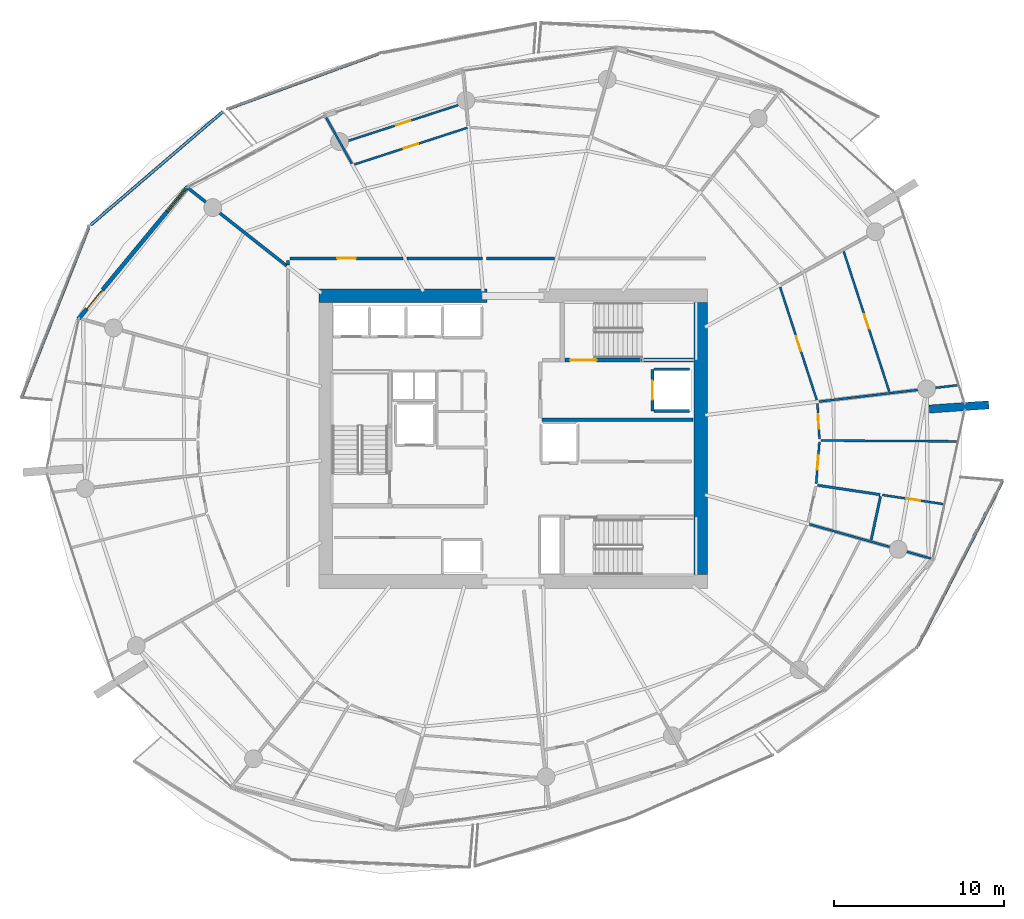
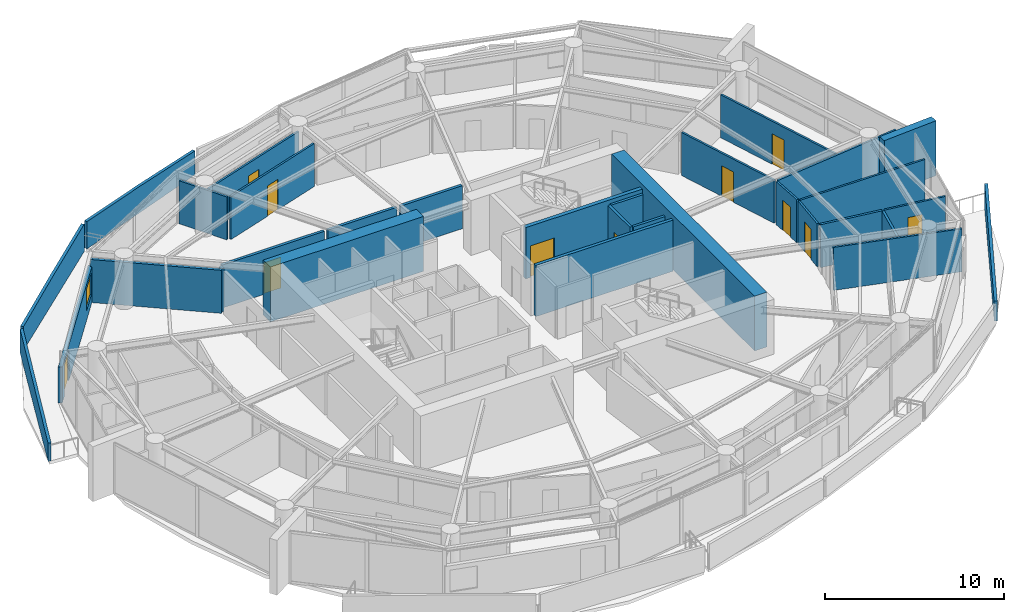
# One storey, part 14 of 20: 31 walls, 11 doors, 1 window, 12 openings.
"""IFC4 building model written with IfcOpenShell, lengths in metres."""

import ifcopenshell
import ifcopenshell.guid

model = None  # the IFC model being written
_history = None  # IfcOwnerHistory: only IFC2X3 demands one
_inside = {}  # id of a spatial element -> (the spatial element, [elements in it])
_under = {}  # id of a project, library or spatial element -> (it, [spatial elements below it])
_declared = {}  # id of a project -> (the project, [libraries it declares])
_typed = {}  # id of a type object -> (the type object, [elements of that type])
_made_of = {}  # id of a material, layer set ... -> (it, [elements and type objects made of it])


def new_model(schema):
    """Start an empty IFC model of exactly this schema.

    Asked for "IFC4X3", IfcOpenShell would pick the latest addendum, in which some entities
    have other attributes; the version numbers below select the first issue.
    IFC2X3 requires an IfcOwnerHistory on every rooted entity: one is made here for all.
    """
    global model, _history
    if schema == "IFC4X3":
        model = ifcopenshell.file(schema_version=(4, 3, 0, 0))
    else:
        model = ifcopenshell.file(schema=schema)
    _inside.clear()
    _under.clear()
    _declared.clear()
    _typed.clear()
    _made_of.clear()
    _history = None
    if model.schema == "IFC2X3":
        org = make("IfcOrganization", Name="unknown")
        user = make(
            "IfcPersonAndOrganization",
            ThePerson=make("IfcPerson", FamilyName="unknown"),
            TheOrganization=org,
        )
        app = make(
            "IfcApplication",
            ApplicationDeveloper=org,
            Version="unknown",
            ApplicationFullName="unknown",
            ApplicationIdentifier="unknown",
        )
        _history = make(
            "IfcOwnerHistory",
            OwningUser=user,
            OwningApplication=app,
            ChangeAction="ADDED",
            CreationDate=0,
        )
    return model


def make(cls, **values):
    """One entity of the class cls with the attributes given. An attribute that is None is left unset."""
    return model.create_entity(
        cls, **{name: value for name, value in values.items() if value is not None}
    )


def rooted(cls, **values):
    """An entity with a GlobalId (a new one), such as an element, a storey or a relation."""
    return make(cls, GlobalId=ifcopenshell.guid.new(), OwnerHistory=_history, **values)


def si_unit(unit_type, name, prefix=None):
    """IfcSIUnit, for example si_unit("LENGTHUNIT", "METRE", prefix="MILLI")."""
    return make("IfcSIUnit", UnitType=unit_type, Prefix=prefix, Name=name)


def assignment(units):
    """IfcUnitAssignment: the units of a project."""
    return None if units is None else make("IfcUnitAssignment", Units=units)


def point(xyz):
    """IfcCartesianPoint."""
    return None if xyz is None else make("IfcCartesianPoint", Coordinates=xyz)


def direction(xyz):
    """IfcDirection."""
    return None if xyz is None else make("IfcDirection", DirectionRatios=xyz)


def frame(location, z_axis=None, x_axis=None):
    """IfcAxis2Placement3D, a coordinate frame: its origin and axes. An axis left out is left unset."""
    return make(
        "IfcAxis2Placement3D",
        Location=point(location),
        Axis=direction(z_axis),
        RefDirection=direction(x_axis),
    )


def frame_2d(location, x_axis=None):
    """IfcAxis2Placement2D, a coordinate frame in the plane: its origin and x axis."""
    return make(
        "IfcAxis2Placement2D", Location=point(location), RefDirection=direction(x_axis)
    )


def origin():
    """The frame at (0, 0, 0) with its axes left unset."""
    return frame((0.0, 0.0, 0.0))


def place(relative_to, where):
    """IfcLocalPlacement: puts the frame where relative to a parent placement (None: the world)."""
    return make(
        "IfcLocalPlacement", PlacementRelTo=relative_to, RelativePlacement=where
    )


def context(
    kind, dimensions, precision=None, world=None, true_north=None, identifier=None
):
    """IfcGeometricRepresentationContext, for example the 3D "Model" context."""
    return make(
        "IfcGeometricRepresentationContext",
        ContextIdentifier=identifier,
        ContextType=kind,
        CoordinateSpaceDimension=dimensions,
        Precision=precision,
        WorldCoordinateSystem=world,
        TrueNorth=true_north,
    )


def subcontext(parent, identifier, kind, view, scale=None):
    """IfcGeometricRepresentationSubContext, for example "Body" below "Model"."""
    return make(
        "IfcGeometricRepresentationSubContext",
        ContextIdentifier=identifier,
        ContextType=kind,
        ParentContext=parent,
        TargetScale=scale,
        TargetView=view,
    )


def project(units=None, contexts=None):
    """IfcProject with its units and contexts."""
    return rooted(
        "IfcProject",
        Name="project",
        RepresentationContexts=contexts,
        UnitsInContext=assignment(units),
    )


def spatial(cls, under=None, at=None, **own):
    """A site, building, storey or space (cls), placed at a placement, below another one or the project."""
    s = rooted(cls, ObjectPlacement=at, **own)
    if under is not None:
        _under.setdefault(under.id(), (under, []))[1].append(s)
    return s


def polyline(points):
    """IfcPolyline through the points."""
    return make("IfcPolyline", Points=[point(p) for p in points])


def profile(cls, at=None, kind="AREA", **sizes):
    """A parametric profile (cls). Its sizes go by their IFC names, for example OverallWidth=200.0."""
    return make(cls, ProfileType=kind, Position=at, **sizes)


def rectangle(**sizes):
    """IfcRectangleProfileDef."""
    return profile("IfcRectangleProfileDef", **sizes)


def outline(outer, holes=None, kind="AREA"):
    """IfcArbitraryClosedProfileDef: a profile drawn as a closed curve; with holes, ...WithVoids."""
    if holes is None:
        return make("IfcArbitraryClosedProfileDef", ProfileType=kind, OuterCurve=outer)
    return make(
        "IfcArbitraryProfileDefWithVoids",
        ProfileType=kind,
        OuterCurve=outer,
        InnerCurves=holes,
    )


def extrude(swept, where, along, depth):
    """IfcExtrudedAreaSolid: the profile swept, set in the frame where, extruded along a direction by depth."""
    return make(
        "IfcExtrudedAreaSolid",
        SweptArea=swept,
        Position=where,
        ExtrudedDirection=direction(along),
        Depth=depth,
    )


def shape(context_of_items, identifier, shape_type, items):
    """IfcShapeRepresentation: the items that make up one representation, for example the "Body"."""
    return make(
        "IfcShapeRepresentation",
        ContextOfItems=context_of_items,
        RepresentationIdentifier=identifier,
        RepresentationType=shape_type,
        Items=items,
    )


def material(Name=None, Category=None):
    """IfcMaterial."""
    return make("IfcMaterial", Name=Name, Category=Category)


def layer(
    of_material, thickness, ventilated=None, Name=None, Category=None, Priority=None
):
    """IfcMaterialLayer: one layer of a wall or slab, of a material (None: an air gap)."""
    return make(
        "IfcMaterialLayer",
        Material=of_material,
        LayerThickness=thickness,
        IsVentilated=ventilated,
        Name=Name,
        Category=Category,
        Priority=Priority,
    )


def layer_set(layers, Name=None):
    """IfcMaterialLayerSet."""
    return make("IfcMaterialLayerSet", MaterialLayers=layers, LayerSetName=Name)


def made_of(thing, what):
    """Note that an element or type object is made of a material, layer set ...; save() writes the relation."""
    if what is not None:
        _made_of.setdefault(what.id(), (what, []))[1].append(thing)
    return thing


def type_object(cls, material=None, **own):
    """A type object (cls), such as IfcWallType, which elements share."""
    return made_of(rooted(cls, **own), material)


def element(
    cls,
    number,
    at=None,
    inside=None,
    cuts=None,
    type_object=None,
    material=None,
    context=None,
    identifier="Body",
    shape_type=None,
    held_by="IfcProductDefinitionShape",
    body=None,
    shapes=None,
    **own,
):
    """One element of the class cls, such as IfcWall. Its Tag is "e" and its number.

    at: its placement. inside: the storey or other place that contains it. cuts: it is an
    opening in that element (IfcRelVoidsElement). A single representation is given by context,
    identifier, shape_type and body (its items); several are given by shapes. held_by: the class
    of the entity that holds the representations. save() writes the other relations.
    """
    e = rooted(cls, Tag="e%d" % number, ObjectPlacement=at, **own)
    if body is not None:
        shapes = [shape(context, identifier, shape_type, body)]
    if shapes is not None:
        e.Representation = make(held_by, Representations=shapes)
    if inside is not None:
        _inside.setdefault(inside.id(), (inside, []))[1].append(e)
    if cuts is not None:
        rooted(
            "IfcRelVoidsElement", RelatingBuildingElement=cuts, RelatedOpeningElement=e
        )
    if type_object is not None:
        _typed.setdefault(type_object.id(), (type_object, []))[1].append(e)
    return made_of(e, material)


def fill(opening, filler):
    """IfcRelFillsElement: the door or window that sits in an opening."""
    return rooted(
        "IfcRelFillsElement",
        RelatingOpeningElement=opening,
        RelatedBuildingElement=filler,
    )


def aggregate(whole, parts):
    """IfcRelAggregates: a whole, such as a stair, and the parts it consists of."""
    return rooted("IfcRelAggregates", RelatingObject=whole, RelatedObjects=parts)


def save(model, path):
    """Write the relations noted so far, then the file.

    IfcRelAggregates (storeys below a building ...), IfcRelContainedInSpatialStructure (elements
    in a storey), IfcRelDefinesByType, IfcRelAssociatesMaterial and IfcRelDeclares: one each for
    every whole, place, type object, material and project.
    """
    for whole, parts in _under.values():
        aggregate(whole, parts)
    for where, things in _inside.values():
        rooted(
            "IfcRelContainedInSpatialStructure",
            RelatedElements=things,
            RelatingStructure=where,
        )
    for kind, things in _typed.values():
        rooted("IfcRelDefinesByType", RelatedObjects=things, RelatingType=kind)
    for what, things in _made_of.values():
        rooted("IfcRelAssociatesMaterial", RelatedObjects=things, RelatingMaterial=what)
    for by, libraries in _declared.values():
        rooted("IfcRelDeclares", RelatingContext=by, RelatedDefinitions=libraries)
    model.write(path)


model = new_model("IFC4")

# Units and contexts
model_context = context("Model", 3, precision=1e-05, world=origin(), true_north=direction((0.0, 1.0)))
body_context = subcontext(model_context, "Body", "Model", "MODEL_VIEW")
ifc_project = project(units=[si_unit("LENGTHUNIT", "METRE"), si_unit("AREAUNIT", "SQUARE_METRE"), si_unit("VOLUMEUNIT", "CUBIC_METRE"), si_unit("PLANEANGLEUNIT", "RADIAN"), si_unit("MASSUNIT", "GRAM", prefix="KILO")], contexts=[model_context])

# Site, building, storey
site_placement = place(None, origin())
site = spatial("IfcSite", under=ifc_project, at=site_placement, CompositionType="ELEMENT")
building_placement = place(site_placement, origin())
building = spatial("IfcBuilding", under=site, at=building_placement, Name="Kazma Halo Residences", CompositionType="ELEMENT")
storey_placement = place(building_placement, frame((0.0, 0.0, 146.550048828125)))
storey = spatial("IfcBuildingStorey", under=building, at=storey_placement, Name="L36", CompositionType="ELEMENT", Elevation=146.550048828125)

# Walls
ifc_material_1 = material(Name="White Concrete C50/60 Balustrade", Category="concrete")
ifc_layer_1 = layer(ifc_material_1, 0.179931640625)
ifc_layer_set_1 = layer_set([ifc_layer_1], Name="White Concrete C50/60 Balustrade")
wall_type_1 = type_object("IfcWallType", Name="WL-BAL-WAVE-180", PredefinedType="PARAPET", material=ifc_layer_set_1)
wall_1_placement = place(storey_placement, frame((40.518310546875, 64.63818359375, 0.0), z_axis=(0.0, 0.0, 1.0), x_axis=(-0.93889246029, -0.344210615774, 0.0)))
element("IfcWall", 1, at=wall_1_placement, inside=storey, type_object=wall_type_1, Name="L36 white wave balustrade wall NNW.2", PredefinedType="PARAPET", context=body_context, shape_type="SweptSolid", body=[
    extrude(outline(polyline([(0.0, 0.0), (9.448974609375, 0.0), (9.448974609375, 1.85986328125), (4.724609375, 1.7978515625), (0.0, 1.6318359375), (0.0, 0.0)])), frame((0.0, 0.08984375, 0.0), z_axis=(0.0, -1.0, 0.0), x_axis=(1.0, 0.0, 0.0)), (0.0, 0.0, 1.0), 0.179931640625),
])
wall_2_placement = place(storey_placement, frame((31.3662109375, 61.236572265625, 0.0), z_axis=(0.0, 0.0, 1.0), x_axis=(-0.758999279374, -0.651091463551, 0.0)))
element("IfcWall", 2, at=wall_2_placement, inside=storey, type_object=wall_type_1, Name="L36 white wave balustrade wall NW.1", PredefinedType="PARAPET", context=body_context, shape_type="SweptSolid", body=[
    extrude(outline(polyline([(0.0, 0.0), (10.2490234375, 0.0), (10.2490234375, 1.6318359375), (5.12451171875, 1.7978515625), (0.0, 1.85986328125), (0.0, 0.0)])), frame((0.0, 0.08984375, 0.0), z_axis=(0.0, -1.0, 0.0), x_axis=(1.0, 0.0, 0.0)), (0.0, 0.0, 1.0), 0.179931640625),
])
wall_3_placement = place(storey_placement, frame((23.451904296875, 54.373779296875, 0.0), z_axis=(0.0, 0.0, 1.0), x_axis=(-0.367668520181, -0.929956912587, 0.0)))
element("IfcWall", 3, at=wall_3_placement, inside=storey, type_object=wall_type_1, Name="L36 white wave balustrade wall NW.2", PredefinedType="PARAPET", context=body_context, shape_type="SweptSolid", body=[
    extrude(outline(polyline([(0.0, 0.0), (10.706787109375, 0.0), (10.706787109375, 1.23291015625), (5.353515625, 1.41796875), (0.0, 1.6318359375), (0.0, 0.0)])), frame((0.0, 0.08984375, 0.0), z_axis=(0.0, -1.0, 0.0), x_axis=(1.0, 0.0, 0.0)), (0.0, 0.0, 1.0), 0.179931640625),
])
wall_4_placement = place(storey_placement, frame((72.204345703125, 29.802001953125, 0.0), z_axis=(0.0, 0.0, 1.0), x_axis=(0.457378798552, 0.88927196888, 0.0)))
element("IfcWall", 4, at=wall_4_placement, inside=storey, type_object=wall_type_1, Name="L36 white wave balustrade wall SE.2", PredefinedType="PARAPET", context=body_context, shape_type="SweptSolid", body=[
    extrude(outline(polyline([(0.0, 0.0), (10.93017578125, 0.0), (10.930419921875, 1.7470703125), (5.465087890625, 1.56201171875), (0.0, 1.347900390625), (0.0, 0.0)])), frame((0.0, 0.08984375, 0.0), z_axis=(0.0, -1.0, 0.0), x_axis=(1.0, 0.0, 0.0)), (0.0, 0.0, 1.0), 0.179931640625),
])
ifc_material_2 = material(Name="Pale Concrete C60/75", Category="concrete")
ifc_layer_2 = layer(ifc_material_2, 0.47998046875)
ifc_layer_set_2 = layer_set([ifc_layer_2], Name="Pale Concrete C60/75")
wall_type_2 = type_object("IfcWallType", Name="WL-BLADE-480", PredefinedType="SOLIDWALL", material=ifc_layer_set_2)
wall_5_placement = place(storey_placement, frame((72.89697265625, 43.740966796875, 0.0), z_axis=(0.0, 0.0, 1.0), x_axis=(0.997564163539, 0.069754853754, 0.0)))
element("IfcWall", 5, at=wall_5_placement, inside=storey, type_object=wall_type_2, Name="L36 pale concrete structural blade fin wall BW-04", PredefinedType="SOLIDWALL", context=body_context, shape_type="SweptSolid", body=[
    extrude(rectangle(XDim=3.5, YDim=0.47998046875, at=frame_2d((1.75, 0.0))), origin(), (0.0, 0.0, 1.0), 3.75),
])
ifc_material_3 = material(Name="Concrete C80/95", Category="concrete")
ifc_layer_3 = layer(ifc_material_3, 0.800048828125)
ifc_layer_set_3 = layer_set([ifc_layer_3], Name="Concrete C80/95")
wall_type_3 = type_object("IfcWallType", Name="WL-CORE-800", PredefinedType="SHEAR", material=ifc_layer_set_3)
wall_6_placement = place(storey_placement, frame((37.0, 50.39990234375, 0.0), z_axis=(0.0, 0.0, 1.0), x_axis=(1.0, 0.0, 0.0)))
element("IfcWall", 6, at=wall_6_placement, inside=storey, type_object=wall_type_3, Name="L36 central core shear wall NW", PredefinedType="SHEAR", context=body_context, shape_type="SweptSolid", body=[
    extrude(rectangle(XDim=9.89990234375, YDim=0.800048828125, at=frame_2d((4.949951171875, 0.0))), origin(), (0.0, 0.0, 1.0), 3.75),
])
wall_7_placement = place(storey_placement, frame((59.449951171875, 34.0, 0.0), z_axis=(0.0, 0.0, 1.0), x_axis=(0.0, 1.0, 0.0)))
element("IfcWall", 7, at=wall_7_placement, inside=storey, type_object=wall_type_3, Name="L36 central core shear wall E", PredefinedType="SHEAR", context=body_context, shape_type="SweptSolid", body=[
    extrude(rectangle(XDim=16.0, YDim=0.800048828125, at=frame_2d((8.0, 0.0))), origin(), (0.0, 0.0, 1.0), 3.75),
])
ifc_material_4 = material(Name="Acoustic Twin-Stud Gypsum")
ifc_layer_4 = layer(ifc_material_4, 0.179931640625)
ifc_layer_set_4 = layer_set([ifc_layer_4], Name="Acoustic Twin-Stud Gypsum")
wall_type_4 = type_object("IfcWallType", Name="WL-DEM-180", PredefinedType="PARTITIONING", material=ifc_layer_set_4)
wall_8_placement = place(storey_placement, frame((35.113525390625, 52.15869140625, 0.0), z_axis=(0.0, 0.0, 1.0), x_axis=(-0.78531739611, 0.619093359169, 0.0)))
element("IfcWall", 8, at=wall_8_placement, inside=storey, type_object=wall_type_4, Name="L36 apartment demising radial wall 05", PredefinedType="PARTITIONING", context=body_context, shape_type="SweptSolid", body=[
    extrude(rectangle(XDim=7.430419921875, YDim=0.179931640625, at=frame_2d((3.71533203125, 0.0))), origin(), (0.0, 0.0, 1.0), 2.93994140625),
])

# Wall, opening, door
wall_9_placement = place(storey_placement, frame((41.943603515625, 52.60009765625, 0.0), z_axis=(0.0, 0.0, 1.0), x_axis=(-1.0, 0.0, 0.0)))
wall_9 = element("IfcWall", 9, at=wall_9_placement, inside=storey, type_object=wall_type_4, Name="L36 Apartment 2 entrance corridor wall", PredefinedType="PARTITIONING", context=body_context, shape_type="SweptSolid", body=[
    extrude(rectangle(XDim=6.62353515625, YDim=0.179931640625, at=frame_2d((3.311767578125, 0.0))), origin(), (0.0, 0.0, 1.0), 2.93994140625),
])
opening_1_placement = place(wall_9_placement, frame((2.76171875, 0.0, 0.0)))
opening_1 = element("IfcOpeningElement", 10, at=opening_1_placement, cuts=wall_9, Name="Opening DA-1100", PredefinedType="OPENING", context=body_context, shape_type="SweptSolid", body=[
    extrude(rectangle(XDim=1.10009765625, YDim=2.10009765625, at=frame_2d((0.550048828125, 1.050048828125))), frame((0.0, 0.099853515625, 0.0), z_axis=(0.0, -1.0, 0.0), x_axis=(1.0, 0.0, 0.0)), (0.0, 0.0, 1.0), 0.199951171875),
])
ifc_material_5 = material(Name="Acoustic Walnut Fire Leaf")
door_type_1 = type_object("IfcDoorType", Name="DR-FD60-1100", OperationType="NOTDEFINED", PredefinedType="DOOR", material=ifc_material_5)
door_1_placement = place(opening_1_placement, origin())
door_1 = element("IfcDoor", 11, at=door_1_placement, inside=storey, type_object=door_type_1, Name="L36 Apartment 2 entrance fire door", OperationType="SINGLE_SWING_LEFT", OverallHeight=2.10009765625, OverallWidth=1.10009765625, PredefinedType="DOOR", context=body_context, shape_type="SweptSolid", body=[
    extrude(rectangle(XDim=1.10009765625, YDim=2.10009765625, at=frame_2d((0.550048828125, 1.050048828125))), frame((0.0, 0.02490234375, 0.0), z_axis=(0.0, -1.0, 0.0), x_axis=(1.0, 0.0, 0.0)), (0.0, 0.0, 1.0), 0.050048828125),
])
fill(opening_1, door_1)

# Walls
wall_10_placement = place(storey_placement, frame((35.199951171875, 52.47998046875, 0.0), z_axis=(0.0, 0.0, 1.0), x_axis=(0.0, -1.0, 0.0)))
element("IfcWall", 12, at=wall_10_placement, inside=storey, type_object=wall_type_4, Name="L36 Apartment 2 entrance corridor wall", PredefinedType="PARTITIONING", context=body_context, shape_type="SweptSolid", body=[
    extrude(rectangle(XDim=0.269287109375, YDim=0.179931640625, at=frame_2d((0.134765625, 0.0))), origin(), (0.0, 0.0, 1.0), 2.93994140625),
])
wall_11_placement = place(storey_placement, frame((50.869384765625, 52.60009765625, 0.0), z_axis=(0.0, 0.0, 1.0), x_axis=(-1.0, 0.0, 0.0)))
element("IfcWall", 13, at=wall_11_placement, inside=storey, type_object=wall_type_4, Name="L36 Apartment 2 inner wall 2", PredefinedType="PARTITIONING", context=body_context, shape_type="SweptSolid", body=[
    extrude(rectangle(XDim=4.00390625, YDim=0.179931640625, at=frame_2d((2.001953125, 0.0))), origin(), (0.0, 0.0, 1.0), 2.93994140625),
])
wall_12_placement = place(storey_placement, frame((46.62548828125, 52.60009765625, 0.0), z_axis=(0.0, 0.0, 1.0), x_axis=(-1.0, 0.0, 0.0)))
element("IfcWall", 14, at=wall_12_placement, inside=storey, type_object=wall_type_4, Name="L36 Apartment 2 inner wall 3", PredefinedType="PARTITIONING", context=body_context, shape_type="SweptSolid", body=[
    extrude(rectangle(XDim=4.44189453125, YDim=0.179931640625, at=frame_2d((2.220947265625, 0.0))), origin(), (0.0, 0.0, 1.0), 2.93994140625),
])

# Wall, openings, door, window
ifc_material_6 = material(Name="Insulated Pale-Metal Composite Wall")
ifc_layer_5 = layer(ifc_material_6, 0.239990234375)
ifc_layer_set_5 = layer_set([ifc_layer_5], Name="Insulated Pale-Metal Composite Wall")
wall_type_5 = type_object("IfcWallType", Name="WL-EXT-HOST-240", PredefinedType="SOLIDWALL", material=ifc_layer_set_5)
wall_13_placement = place(storey_placement, frame((29.29052734375, 56.81298828125, 0.0), z_axis=(0.0, 0.0, 1.0), x_axis=(-0.636771922292, -0.77105221547, 0.0)))
wall_13 = element("IfcWall", 15, at=wall_13_placement, inside=storey, type_object=wall_type_5, Name="L36 exterior terrace-access wall B06", PredefinedType="SOLIDWALL", context=body_context, shape_type="SweptSolid", body=[
    extrude(rectangle(XDim=10.08154296875, YDim=0.239990234375, at=frame_2d((5.040771484375, 0.0))), origin(), (0.0, 0.0, 1.0), 2.449951171875),
])
opening_2_placement = place(wall_13_placement, frame((7.861572265625, 0.0, 0.0)))
opening_2 = element("IfcOpeningElement", 16, at=opening_2_placement, cuts=wall_13, Name="Opening DTR-1600", PredefinedType="OPENING", context=body_context, shape_type="SweptSolid", body=[
    extrude(rectangle(XDim=1.449951171875, YDim=2.14990234375, at=frame_2d((0.72509765625, 1.074951171875))), frame((0.0, 0.1298828125, 0.0), z_axis=(0.0, -1.0, 0.0), x_axis=(1.0, 0.0, 0.0)), (0.0, 0.0, 1.0), 0.260009765625),
])
opening_3_placement = place(wall_13_placement, frame((0.280029296875, 0.0, 0.64990234375)))
opening_3 = element("IfcOpeningElement", 17, at=opening_3_placement, cuts=wall_13, Name="Opening W-1800", PredefinedType="OPENING", context=body_context, shape_type="SweptSolid", body=[
    extrude(rectangle(XDim=1.60009765625, YDim=1.5, at=frame_2d((0.800048828125, 0.75))), frame((0.0, 0.1298828125, 0.0), z_axis=(0.0, -1.0, 0.0), x_axis=(1.0, 0.0, 0.0)), (0.0, 0.0, 1.0), 0.260009765625),
])
ifc_material_7 = material(Name="Aluminium AW-6063 T6 Double-Glazed Terrace Door", Category="aluminium")
door_type_2 = type_object("IfcDoorType", Name="DR-EXT-TERR-1600", OperationType="NOTDEFINED", PredefinedType="DOOR", material=ifc_material_7)
door_2_placement = place(opening_2_placement, origin())
door_2 = element("IfcDoor", 18, at=door_2_placement, inside=storey, type_object=door_type_2, Name="L36 B06 balcony terrace door", OperationType="DOUBLE_DOOR_SLIDING", OverallHeight=2.14990234375, OverallWidth=1.449951171875, PredefinedType="DOOR", context=body_context, shape_type="SweptSolid", body=[
    extrude(rectangle(XDim=1.449951171875, YDim=2.14990234375, at=frame_2d((0.72509765625, 1.074951171875))), frame((0.0, 0.02490234375, 0.0), z_axis=(0.0, -1.0, 0.0), x_axis=(1.0, 0.0, 0.0)), (0.0, 0.0, 1.0), 0.050048828125),
])
fill(opening_2, door_2)
ifc_material_8 = material(Name="Clear Triple-Silver Low-E Glass in Aluminium AW-6063 T6 Frame", Category="aluminium")
window_type = type_object("IfcWindowType", Name="WIN-RES-1800", PartitioningType="DOUBLE_PANEL_VERTICAL", PredefinedType="WINDOW", material=ifc_material_8)
window_placement = place(opening_3_placement, origin())
window = element("IfcWindow", 19, at=window_placement, inside=storey, type_object=window_type, Name="L36 B06 apartment window", OverallHeight=1.5, OverallWidth=1.60009765625, PartitioningType="SINGLE_PANEL", PredefinedType="WINDOW", context=body_context, shape_type="SweptSolid", body=[
    extrude(rectangle(XDim=1.60009765625, YDim=1.5, at=frame_2d((0.800048828125, 0.75))), frame((0.0, 0.030029296875, 0.0), z_axis=(0.0, -1.0, 0.0), x_axis=(1.0, 0.0, 0.0)), (0.0, 0.0, 1.0), 0.06005859375),
])
fill(opening_3, window)

# Wall, opening, door
ifc_material_9 = material(Name="Fire-Rated Blockwork Masonry", Category="masonry")
ifc_layer_6 = layer(ifc_material_9, 0.199951171875)
ifc_layer_set_6 = layer_set([ifc_layer_6], Name="Fire-Rated Blockwork Masonry")
wall_type_6 = type_object("IfcWallType", Name="WL-FLB-200", PredefinedType="PARTITIONING", material=ifc_layer_set_6)
wall_14_placement = place(storey_placement, frame((56.6201171875, 46.080078125, 0.0), z_axis=(0.0, 0.0, 1.0), x_axis=(0.0, -1.0, 0.0)))
wall_14 = element("IfcWall", 20, at=wall_14_placement, inside=storey, type_object=wall_type_6, Name="L36 lift shaft FL-02 front wall", PredefinedType="PARTITIONING", context=body_context, shape_type="SweptSolid", body=[
    extrude(rectangle(XDim=2.4599609375, YDim=0.159912109375, at=frame_2d((1.22998046875, 0.0))), origin(), (0.0, 0.0, 1.0), 3.5),
])
opening_4_placement = place(wall_14_placement, frame((0.679931640625, 0.0, 0.0)))
opening_4 = element("IfcOpeningElement", 21, at=opening_4_placement, cuts=wall_14, Name="Opening LD-FL-02", PredefinedType="OPENING", context=body_context, shape_type="SweptSolid", body=[
    extrude(rectangle(XDim=1.10009765625, YDim=2.10009765625, at=frame_2d((0.550048828125, 1.050048828125))), frame((0.0, 0.08984375, 0.0), z_axis=(0.0, -1.0, 0.0), x_axis=(1.0, 0.0, 0.0)), (0.0, 0.0, 1.0), 0.179931640625),
])
ifc_material_10 = material(Name="Stainless Steel Fire-Rated", Category="steel")
door_type_3 = type_object("IfcDoorType", Name="DR-LIFT-SLD-1100", OperationType="DOUBLE_DOOR_SLIDING", PredefinedType="DOOR", material=ifc_material_10)
door_3_placement = place(opening_4_placement, origin())
door_3 = element("IfcDoor", 22, at=door_3_placement, inside=storey, type_object=door_type_3, Name="L36 lift FL-02 sliding landing door", OperationType="DOUBLE_DOOR_SLIDING", OverallHeight=2.10009765625, OverallWidth=1.10009765625, PredefinedType="DOOR", context=body_context, shape_type="SweptSolid", body=[
    extrude(rectangle(XDim=1.10009765625, YDim=2.10009765625, at=frame_2d((0.550048828125, 1.050048828125))), frame((0.0, 0.02490234375, 0.0), z_axis=(0.0, -1.0, 0.0), x_axis=(1.0, 0.0, 0.0)), (0.0, 0.0, 1.0), 0.050048828125),
])
fill(opening_4, door_3)

# Walls
for number, where, z_axis, x_axis, name in (
    (23, (56.719970703125, 46.080078125, 0.0), (0.0, 0.0, 1.0), (1.0, 0.0, 0.0), "L36 lift shaft FL-02 side wall N"),
    (24, (56.719970703125, 43.6201171875, 0.0), (0.0, 0.0, 1.0), (1.0, 0.0, 0.0), "L36 lift shaft FL-02 side wall S"),
):
    element("IfcWall", number, at=place(storey_placement, frame(where, z_axis=z_axis, x_axis=x_axis)), inside=storey, type_object=wall_type_6, Name=name, PredefinedType="PARTITIONING", context=body_context, shape_type="SweptSolid", body=[
        extrude(rectangle(XDim=2.06005859375, YDim=0.159912109375, at=frame_2d((1.030029296875, 0.0))), origin(), (0.0, 0.0, 1.0), 3.5),
    ])
wall_15_placement = place(storey_placement, frame((50.1201171875, 43.1201171875, 0.0), z_axis=(0.0, 0.0, 1.0), x_axis=(1.0, 0.0, 0.0)))
element("IfcWall", 25, at=wall_15_placement, inside=storey, type_object=wall_type_6, Name="L36 east firefighting lobby south smoke wall", PredefinedType="PARTITIONING", context=body_context, shape_type="SweptSolid", body=[
    extrude(rectangle(XDim=8.8798828125, YDim=0.199951171875, at=frame_2d((4.43994140625, 0.0))), origin(), (0.0, 0.0, 1.0), 3.5),
])
ifc_material_11 = material(Name="Gypsum Plasterboard Partition")
ifc_layer_7 = layer(ifc_material_11, 0.125)
ifc_layer_set_7 = layer_set([ifc_layer_7], Name="Gypsum Plasterboard Partition")
wall_type_7 = type_object("IfcWallType", Name="WL-PART-125", PredefinedType="PARTITIONING", material=ifc_layer_set_7)
wall_16_placement = place(storey_placement, frame((65.843017578125, 36.9677734375, 0.0), z_axis=(0.0, 0.0, 1.0), x_axis=(0.962456736489, -0.271435131084, 0.0)))
element("IfcWall", 26, at=wall_16_placement, inside=storey, type_object=wall_type_7, Name="L36 Apartment 2 radial partition 14", PredefinedType="PARTITIONING", context=body_context, shape_type="SweptSolid", body=[
    extrude(rectangle(XDim=7.412353515625, YDim=0.125, at=frame_2d((3.7060546875, 0.0))), origin(), (0.0, 0.0, 1.0), 2.93994140625),
])

# Wall, opening, door
wall_17_placement = place(storey_placement, frame((70.1328125, 38.690185546875, 0.0), z_axis=(0.0, 0.0, 1.0), x_axis=(0.989002592366, -0.147898182183, 0.0)))
wall_17 = element("IfcWall", 27, at=wall_17_placement, inside=storey, type_object=wall_type_7, Name="L36 Apartment 2 South Walk-In Wardrobe partition wall", PredefinedType="PARTITIONING", context=body_context, shape_type="SweptSolid", body=[
    extrude(rectangle(XDim=3.671142578125, YDim=0.125, at=frame_2d((1.83544921875, 0.0))), origin(), (0.0, 0.0, 1.0), 2.93994140625),
])
opening_5_placement = place(wall_17_placement, frame((1.41064453125, 0.0, 0.0)))
opening_5 = element("IfcOpeningElement", 28, at=opening_5_placement, cuts=wall_17, Name="Opening DB-900", PredefinedType="OPENING", context=body_context, shape_type="SweptSolid", body=[
    extrude(rectangle(XDim=0.85009765625, YDim=2.06005859375, at=frame_2d((0.425048828125, 1.030029296875))), frame((0.0, 0.072509765625, 0.0), z_axis=(0.0, -1.0, 0.0), x_axis=(1.0, 0.0, 0.0)), (0.0, 0.0, 1.0), 0.14501953125),
])
ifc_material_12 = material(Name="Moisture-Sealed Timber Leaf", Category="wood")
door_type_4 = type_object("IfcDoorType", Name="DR-BTH-900", OperationType="NOTDEFINED", PredefinedType="DOOR", material=ifc_material_12)
door_4_placement = place(opening_5_placement, origin())
door_4 = element("IfcDoor", 29, at=door_4_placement, inside=storey, type_object=door_type_4, Name="L36 Apartment 2 South Walk-In Wardrobe door", OperationType="SINGLE_SWING_RIGHT", OverallHeight=2.06005859375, OverallWidth=0.85009765625, PredefinedType="DOOR", context=body_context, shape_type="SweptSolid", body=[
    extrude(rectangle(XDim=0.85009765625, YDim=2.06005859375, at=frame_2d((0.425048828125, 1.030029296875))), frame((0.0, 0.02490234375, 0.0), z_axis=(0.0, -1.0, 0.0), x_axis=(1.0, 0.0, 0.0)), (0.0, 0.0, 1.0), 0.050048828125),
])
fill(opening_5, door_4)

# Wall
wall_18_placement = place(storey_placement, frame((66.52880859375, 41.888916015625, 0.0), z_axis=(0.0, 0.0, 1.0), x_axis=(0.999982052634, -0.00599119444, 0.0)))
element("IfcWall", 30, at=wall_18_placement, inside=storey, type_object=wall_type_7, Name="L36 Apartment 2 suite divider 14", PredefinedType="PARTITIONING", context=body_context, shape_type="SweptSolid", body=[
    extrude(rectangle(XDim=8.02783203125, YDim=0.125, at=frame_2d((4.013916015625, 0.0))), origin(), (0.0, 0.0, 1.0), 2.93994140625),
])

# Wall, opening, door
wall_19_placement = place(storey_placement, frame((66.2431640625, 39.36279296875, 0.0), z_axis=(0.0, 0.0, 1.0), x_axis=(0.077198584258, 0.99701573638, 0.0)))
wall_19 = element("IfcWall", 31, at=wall_19_placement, inside=storey, type_object=wall_type_7, Name="L36 Apartment 2 Inner Private Study hall wall", PredefinedType="PARTITIONING", context=body_context, shape_type="SweptSolid", body=[
    extrude(rectangle(XDim=2.4541015625, YDim=0.125, at=frame_2d((1.22705078125, 0.0))), origin(), (0.0, 0.0, 1.0), 2.93994140625),
])
opening_6_placement = place(wall_19_placement, frame((0.802001953125, 0.0, 0.0)))
opening_6 = element("IfcOpeningElement", 32, at=opening_6_placement, cuts=wall_19, Name="Opening DB-900", PredefinedType="OPENING", context=body_context, shape_type="SweptSolid", body=[
    extrude(rectangle(XDim=0.85009765625, YDim=2.06005859375, at=frame_2d((0.425048828125, 1.030029296875))), frame((0.0, 0.072509765625, 0.0), z_axis=(0.0, -1.0, 0.0), x_axis=(1.0, 0.0, 0.0)), (0.0, 0.0, 1.0), 0.14501953125),
])
door_5_placement = place(opening_6_placement, origin())
door_5 = element("IfcDoor", 33, at=door_5_placement, inside=storey, type_object=door_type_4, Name="L36 Apartment 2 Inner Private Study door", OperationType="SINGLE_SWING_LEFT", OverallHeight=2.06005859375, OverallWidth=0.85009765625, PredefinedType="DOOR", context=body_context, shape_type="SweptSolid", body=[
    extrude(rectangle(XDim=0.85009765625, YDim=2.06005859375, at=frame_2d((0.425048828125, 1.030029296875))), frame((0.0, 0.02490234375, 0.0), z_axis=(0.0, -1.0, 0.0), x_axis=(1.0, 0.0, 0.0)), (0.0, 0.0, 1.0), 0.050048828125),
])
fill(opening_6, door_5)

wall_20_placement = place(storey_placement, frame((66.43408203125, 41.96923828125, 0.0), z_axis=(0.0, 0.0, 1.0), x_axis=(-0.055766005986, 0.998443865511, 0.0)))
wall_20 = element("IfcWall", 34, at=wall_20_placement, inside=storey, type_object=wall_type_7, Name="L36 Apartment 2 Outer Master Bedroom hall wall", PredefinedType="PARTITIONING", context=body_context, shape_type="SweptSolid", body=[
    extrude(rectangle(XDim=2.101318359375, YDim=0.125, at=frame_2d((1.05078125, 0.0))), origin(), (0.0, 0.0, 1.0), 2.93994140625),
])
opening_7_placement = place(wall_20_placement, frame((0.625732421875, 0.0, 0.0)))
opening_7 = element("IfcOpeningElement", 35, at=opening_7_placement, cuts=wall_20, Name="Opening DB-900", PredefinedType="OPENING", context=body_context, shape_type="SweptSolid", body=[
    extrude(rectangle(XDim=0.85009765625, YDim=2.06005859375, at=frame_2d((0.425048828125, 1.030029296875))), frame((0.0, 0.072509765625, 0.0), z_axis=(0.0, -1.0, 0.0), x_axis=(1.0, 0.0, 0.0)), (0.0, 0.0, 1.0), 0.14501953125),
])
door_6_placement = place(opening_7_placement, origin())
door_6 = element("IfcDoor", 36, at=door_6_placement, inside=storey, type_object=door_type_4, Name="L36 Apartment 2 Outer Master Bedroom door", OperationType="SINGLE_SWING_RIGHT", OverallHeight=2.06005859375, OverallWidth=0.85009765625, PredefinedType="DOOR", context=body_context, shape_type="SweptSolid", body=[
    extrude(rectangle(XDim=0.85009765625, YDim=2.06005859375, at=frame_2d((0.425048828125, 1.030029296875))), frame((0.0, 0.02490234375, 0.0), z_axis=(0.0, -1.0, 0.0), x_axis=(1.0, 0.0, 0.0)), (0.0, 0.0, 1.0), 0.050048828125),
])
fill(opening_7, door_6)

# Wall
wall_21_placement = place(storey_placement, frame((66.410400390625, 44.17919921875, 0.0), z_axis=(0.0, 0.0, 1.0), x_axis=(0.993070354128, 0.117521367213, 0.0)))
element("IfcWall", 37, at=wall_21_placement, inside=storey, type_object=wall_type_7, Name="L36 Apartment 2 radial partition 15", PredefinedType="PARTITIONING", context=body_context, shape_type="SweptSolid", body=[
    extrude(rectangle(XDim=8.247314453125, YDim=0.125, at=frame_2d((4.12353515625, 0.0))), origin(), (0.0, 0.0, 1.0), 2.93994140625),
])

# Wall, opening, door
wall_22_placement = place(storey_placement, frame((66.277099609375, 44.27197265625, 0.0), z_axis=(0.0, 0.0, 1.0), x_axis=(-0.308993461661, 0.951064162215, 0.0)))
wall_22 = element("IfcWall", 38, at=wall_22_placement, inside=storey, type_object=wall_type_7, Name="L36 Apartment 2 Corner Study hall wall", PredefinedType="PARTITIONING", context=body_context, shape_type="SweptSolid", body=[
    extrude(rectangle(XDim=6.974365234375, YDim=0.125, at=frame_2d((3.4873046875, 0.0))), origin(), (0.0, 0.0, 1.0), 2.93994140625),
])
opening_8_placement = place(wall_22_placement, frame((3.037353515625, 0.0, 0.0)))
opening_8 = element("IfcOpeningElement", 39, at=opening_8_placement, cuts=wall_22, Name="Opening DI-950", PredefinedType="OPENING", context=body_context, shape_type="SweptSolid", body=[
    extrude(rectangle(XDim=0.89990234375, YDim=2.080078125, at=frame_2d((0.449951171875, 1.0400390625))), frame((0.0, 0.072509765625, 0.0), z_axis=(0.0, -1.0, 0.0), x_axis=(1.0, 0.0, 0.0)), (0.0, 0.0, 1.0), 0.14501953125),
])
ifc_material_13 = material(Name="Timber Veneer Flush Leaf", Category="wood")
door_type_5 = type_object("IfcDoorType", Name="DR-INT-950", OperationType="NOTDEFINED", PredefinedType="DOOR", material=ifc_material_13)
door_7_placement = place(opening_8_placement, origin())
door_7 = element("IfcDoor", 40, at=door_7_placement, inside=storey, type_object=door_type_5, Name="L36 Apartment 2 Corner Study door", OperationType="SINGLE_SWING_RIGHT", OverallHeight=2.080078125, OverallWidth=0.89990234375, PredefinedType="DOOR", context=body_context, shape_type="SweptSolid", body=[
    extrude(rectangle(XDim=0.89990234375, YDim=2.080078125, at=frame_2d((0.449951171875, 1.0400390625))), frame((0.0, 0.02490234375, 0.0), z_axis=(0.0, -1.0, 0.0), x_axis=(1.0, 0.0, 0.0)), (0.0, 0.0, 1.0), 0.050048828125),
])
fill(opening_8, door_7)

wall_23_placement = place(storey_placement, frame((70.535400390625, 44.77587890625, 0.0), z_axis=(0.0, 0.0, 1.0), x_axis=(-0.309002443549, 0.951061244022, 0.0)))
wall_23 = element("IfcWall", 41, at=wall_23_placement, inside=storey, type_object=wall_type_7, Name="L36 Apartment 2 Garden Master Bedroom divider wall", PredefinedType="PARTITIONING", context=body_context, shape_type="SweptSolid", body=[
    extrude(rectangle(XDim=8.6474609375, YDim=0.125, at=frame_2d((4.32373046875, 0.0))), origin(), (0.0, 0.0, 1.0), 2.93994140625),
])
opening_9_placement = place(wall_23_placement, frame((3.873779296875, 0.0, 0.0)))
opening_9 = element("IfcOpeningElement", 42, at=opening_9_placement, cuts=wall_23, Name="Opening DI-950", PredefinedType="OPENING", context=body_context, shape_type="SweptSolid", body=[
    extrude(rectangle(XDim=0.89990234375, YDim=2.080078125, at=frame_2d((0.449951171875, 1.0400390625))), frame((0.0, 0.072509765625, 0.0), z_axis=(0.0, -1.0, 0.0), x_axis=(1.0, 0.0, 0.0)), (0.0, 0.0, 1.0), 0.14501953125),
])
door_8_placement = place(opening_9_placement, origin())
door_8 = element("IfcDoor", 43, at=door_8_placement, inside=storey, type_object=door_type_5, Name="L36 Apartment 2 Garden Master Bedroom door", OperationType="SINGLE_SWING_LEFT", OverallHeight=2.080078125, OverallWidth=0.89990234375, PredefinedType="DOOR", context=body_context, shape_type="SweptSolid", body=[
    extrude(rectangle(XDim=0.89990234375, YDim=2.080078125, at=frame_2d((0.449951171875, 1.0400390625))), frame((0.0, 0.02490234375, 0.0), z_axis=(0.0, -1.0, 0.0), x_axis=(1.0, 0.0, 0.0)), (0.0, 0.0, 1.0), 0.050048828125),
])
fill(opening_9, door_8)

# Wall
wall_24_placement = place(storey_placement, frame((38.94140625, 58.17529296875, 0.0), z_axis=(0.0, 0.0, 1.0), x_axis=(-0.488620181058, 0.872496600946, 0.0)))
element("IfcWall", 44, at=wall_24_placement, inside=storey, type_object=wall_type_7, Name="L36 Apartment 2 living radial partition 3", PredefinedType="PARTITIONING", context=body_context, shape_type="SweptSolid", body=[
    extrude(rectangle(XDim=3.095458984375, YDim=0.125, at=frame_2d((1.5478515625, 0.0))), origin(), (0.0, 0.0, 1.0), 2.93994140625),
])

# Wall, opening, door
wall_25_placement = place(storey_placement, frame((45.72802734375, 60.277099609375, 0.0), z_axis=(0.0, 0.0, 1.0), x_axis=(-0.951064162215, -0.308993461661, 0.0)))
wall_25 = element("IfcWall", 45, at=wall_25_placement, inside=storey, type_object=wall_type_7, Name="L36 Apartment 2 North Study hall wall", PredefinedType="PARTITIONING", context=body_context, shape_type="SweptSolid", body=[
    extrude(rectangle(XDim=6.974365234375, YDim=0.125, at=frame_2d((3.4873046875, 0.0))), origin(), (0.0, 0.0, 1.0), 2.93994140625),
])
opening_10_placement = place(wall_25_placement, frame((3.037353515625, 0.0, 0.0)))
opening_10 = element("IfcOpeningElement", 46, at=opening_10_placement, cuts=wall_25, Name="Opening DI-950", PredefinedType="OPENING", context=body_context, shape_type="SweptSolid", body=[
    extrude(rectangle(XDim=0.89990234375, YDim=2.080078125, at=frame_2d((0.449951171875, 1.0400390625))), frame((0.0, 0.072509765625, 0.0), z_axis=(0.0, -1.0, 0.0), x_axis=(1.0, 0.0, 0.0)), (0.0, 0.0, 1.0), 0.14501953125),
])
door_9_placement = place(opening_10_placement, origin())
door_9 = element("IfcDoor", 47, at=door_9_placement, inside=storey, type_object=door_type_5, Name="L36 Apartment 2 North Study door", OperationType="SINGLE_SWING_RIGHT", OverallHeight=2.080078125, OverallWidth=0.89990234375, PredefinedType="DOOR", context=body_context, shape_type="SweptSolid", body=[
    extrude(rectangle(XDim=0.89990234375, YDim=2.080078125, at=frame_2d((0.449951171875, 1.0400390625))), frame((0.0, 0.02490234375, 0.0), z_axis=(0.0, -1.0, 0.0), x_axis=(1.0, 0.0, 0.0)), (0.0, 0.0, 1.0), 0.050048828125),
])
fill(opening_10, door_9)

wall_26_placement = place(storey_placement, frame((45.556396484375, 61.72802734375, 0.0), z_axis=(0.0, 0.0, 1.0), x_axis=(-0.951060224054, -0.309005582834, 0.0)))
wall_26 = element("IfcWall", 48, at=wall_26_placement, inside=storey, type_object=wall_type_7, Name="L36 Apartment 2 South Bedroom divider wall", PredefinedType="PARTITIONING", context=body_context, shape_type="SweptSolid", body=[
    extrude(rectangle(XDim=7.54443359375, YDim=0.125, at=frame_2d((3.772216796875, 0.0))), origin(), (0.0, 0.0, 1.0), 2.93994140625),
])
opening_11_placement = place(wall_26_placement, frame((3.322265625, 0.0, 0.0)))
opening_11 = element("IfcOpeningElement", 49, at=opening_11_placement, cuts=wall_26, Name="Opening DI-950", PredefinedType="OPENING", context=body_context, shape_type="SweptSolid", body=[
    extrude(rectangle(XDim=0.89990234375, YDim=2.080078125, at=frame_2d((0.449951171875, 1.0400390625))), frame((0.0, 0.072509765625, 0.0), z_axis=(0.0, -1.0, 0.0), x_axis=(1.0, 0.0, 0.0)), (0.0, 0.0, 1.0), 0.14501953125),
])
door_10_placement = place(opening_11_placement, origin())
door_10 = element("IfcDoor", 50, at=door_10_placement, inside=storey, type_object=door_type_5, Name="L36 Apartment 2 South Bedroom door", OperationType="SINGLE_SWING_LEFT", OverallHeight=2.080078125, OverallWidth=0.89990234375, PredefinedType="DOOR", context=body_context, shape_type="SweptSolid", body=[
    extrude(rectangle(XDim=0.89990234375, YDim=2.080078125, at=frame_2d((0.449951171875, 1.0400390625))), frame((0.0, 0.02490234375, 0.0), z_axis=(0.0, -1.0, 0.0), x_axis=(1.0, 0.0, 0.0)), (0.0, 0.0, 1.0), 0.050048828125),
])
fill(opening_11, door_10)

ifc_material_14 = material(Name="Concrete C50/60", Category="concrete")
ifc_layer_8 = layer(ifc_material_14, 0.25)
ifc_layer_set_8 = layer_set([ifc_layer_8], Name="Concrete C50/60")
wall_type_8 = type_object("IfcWallType", Name="WL-SHF-250", PredefinedType="SOLIDWALL", material=ifc_layer_set_8)
wall_27_placement = place(storey_placement, frame((51.47998046875, 46.6201171875, 0.0), z_axis=(0.0, 0.0, 1.0), x_axis=(1.0, 0.0, 0.0)))
wall_27 = element("IfcWall", 51, at=wall_27_placement, inside=storey, type_object=wall_type_8, Name="L36 exit stair ST-02 enclosure wall", PredefinedType="SOLIDWALL", context=body_context, shape_type="SweptSolid", body=[
    extrude(rectangle(XDim=7.5400390625, YDim=0.25, at=frame_2d((3.77001953125, 0.0))), origin(), (0.0, 0.0, 1.0), 3.5),
])
opening_12_placement = place(wall_27_placement, frame((0.300048828125, 0.0, 0.0)))
opening_12 = element("IfcOpeningElement", 52, at=opening_12_placement, cuts=wall_27, Name="Opening D-ST2", PredefinedType="OPENING", context=body_context, shape_type="SweptSolid", body=[
    extrude(rectangle(XDim=1.550048828125, YDim=2.14990234375, at=frame_2d((0.77490234375, 1.074951171875))), frame((0.0, 0.135009765625, 0.0), z_axis=(0.0, -1.0, 0.0), x_axis=(1.0, 0.0, 0.0)), (0.0, 0.0, 1.0), 0.27001953125),
])
ifc_material_15 = material(Name="Fire-Rated Double Steel Leaf", Category="steel")
door_type_6 = type_object("IfcDoorType", Name="DR-FD90-1550", OperationType="NOTDEFINED", PredefinedType="DOOR", material=ifc_material_15)
door_11_placement = place(opening_12_placement, origin())
door_11 = element("IfcDoor", 53, at=door_11_placement, inside=storey, type_object=door_type_6, Name="L36 exit stair ST-02 fire door", OperationType="DOUBLE_DOOR_SINGLE_SWING", OverallHeight=2.14990234375, OverallWidth=1.550048828125, PredefinedType="DOOR", context=body_context, shape_type="SweptSolid", body=[
    extrude(rectangle(XDim=1.550048828125, YDim=2.14990234375, at=frame_2d((0.77490234375, 1.074951171875))), frame((0.0, 0.02490234375, 0.0), z_axis=(0.0, -1.0, 0.0), x_axis=(1.0, 0.0, 0.0)), (0.0, 0.0, 1.0), 0.050048828125),
])
fill(opening_12, door_11)

# Walls
ifc_material_16 = material(Name="Moisture-Resistant Gypsum")
ifc_layer_9 = layer(ifc_material_16, 0.14990234375)
ifc_layer_set_9 = layer_set([ifc_layer_9], Name="Moisture-Resistant Gypsum")
wall_type_9 = type_object("IfcWallType", Name="WL-WET-150", PredefinedType="PARTITIONING", material=ifc_layer_set_9)
wall_28_placement = place(storey_placement, frame((69.47314453125, 36.047607421875, 0.0), z_axis=(0.0, 0.0, 1.0), x_axis=(0.210074988051, 0.97768527625, 0.0)))
element("IfcWall", 54, at=wall_28_placement, inside=storey, type_object=wall_type_9, Name="L36 Apartment 2 North En-Suite Bathroom back wall", PredefinedType="PARTITIONING", context=body_context, shape_type="SweptSolid", body=[
    extrude(rectangle(XDim=2.62646484375, YDim=0.14990234375, at=frame_2d((1.313232421875, 0.0))), origin(), (0.0, 0.0, 1.0), 2.93994140625),
])
wall_29_placement = place(storey_placement, frame((66.3251953125, 39.259765625, 0.0), z_axis=(0.0, 0.0, 1.0), x_axis=(0.988998843182, -0.147923250997, 0.0)))
element("IfcWall", 55, at=wall_29_placement, inside=storey, type_object=wall_type_9, Name="L36 Apartment 2 North En-Suite Bathroom side wall", PredefinedType="PARTITIONING", context=body_context, shape_type="SweptSolid", body=[
    extrude(rectangle(XDim=3.72021484375, YDim=0.14990234375, at=frame_2d((1.860107421875, 0.0))), origin(), (0.0, 0.0, 1.0), 2.93994140625),
])

save(model, "model.ifc")
